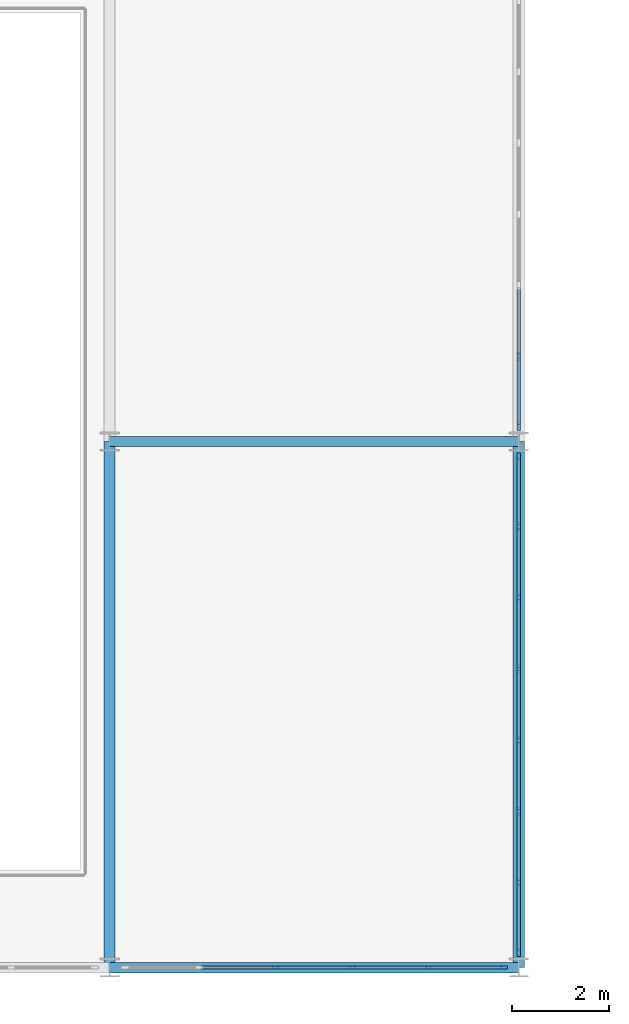
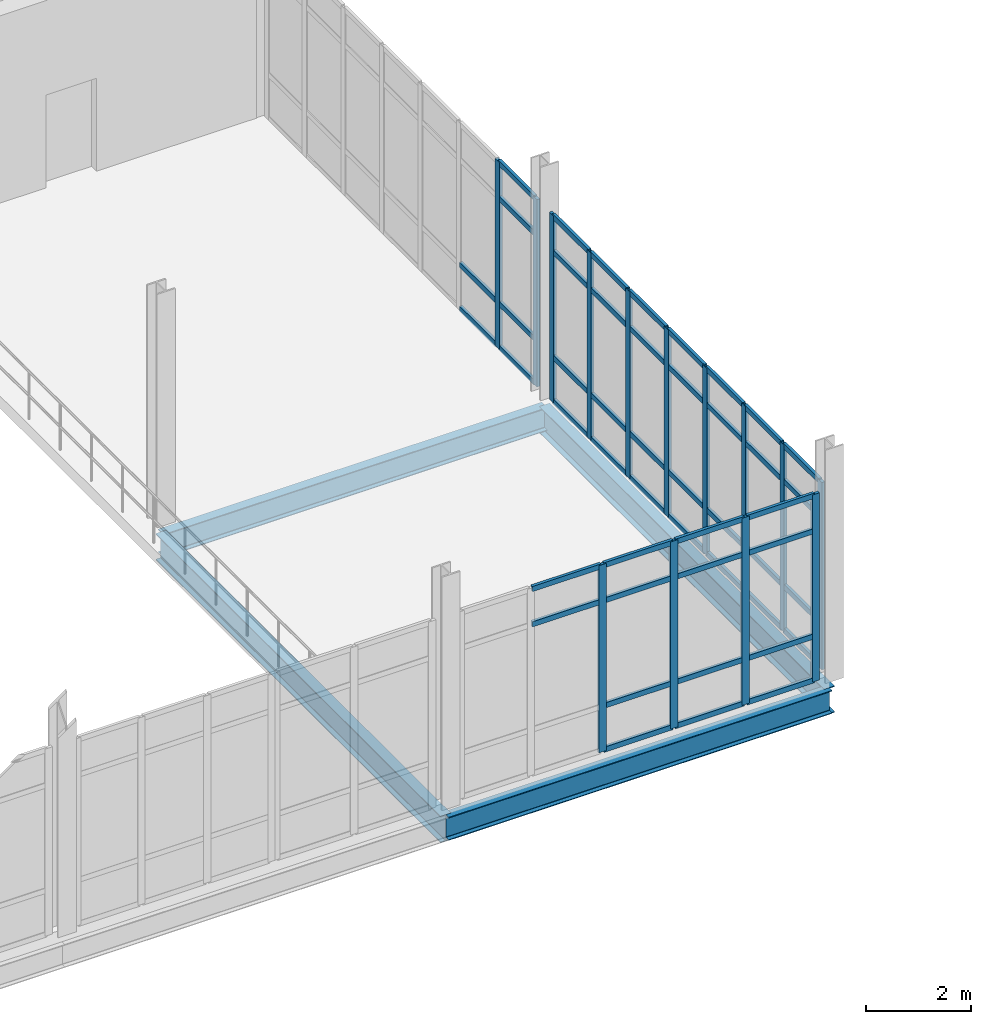
# One storey, part 38 of 111: 62 members, 4 beams, 3 elements without a shape of their own.
"""IFC4 building model written with IfcOpenShell, lengths in metres."""

from ifc_helpers import new_model, si_unit, direction, frame, origin, origin_2d, place, context, subcontext, project, spatial, rectangle, i_section, extrude, material, layer, layer_set, material_profile, profile_set, type_object, element, aggregate, save


model = new_model("IFC4")

# Units and contexts
model_context = context("Model", 3, precision=1e-05, world=origin(), true_north=direction((0.0, 1.0)))
body_context = subcontext(model_context, "Body", "Model", "MODEL_VIEW")
ifc_project = project(units=[si_unit("LENGTHUNIT", "METRE"), si_unit("AREAUNIT", "SQUARE_METRE"), si_unit("VOLUMEUNIT", "CUBIC_METRE"), si_unit("PLANEANGLEUNIT", "RADIAN"), si_unit("MASSUNIT", "GRAM", prefix="KILO"), si_unit("THERMODYNAMICTEMPERATUREUNIT", "KELVIN"), si_unit("POWERUNIT", "WATT")], contexts=[model_context])

# Site, building, storey
site_placement = place(None, origin())
site = spatial("IfcSite", under=ifc_project, at=site_placement, CompositionType="ELEMENT")
building_placement = place(site_placement, origin())
building = spatial("IfcBuilding", under=site, at=building_placement, Name="Tembeka Court Mobility Hub", CompositionType="ELEMENT")
storey_placement = place(building_placement, origin())
storey = spatial("IfcBuildingStorey", under=building, at=storey_placement, Name="L00", CompositionType="ELEMENT", Elevation=0.0)

# Beams
ifc_material_1 = material(Name="Steel S355", Category="steel")
ifc_material_profile_1 = material_profile(ifc_material_1, i_section(OverallWidth=0.22900390625, OverallDepth=0.612060546875, WebThickness=0.011962890625, FlangeThickness=0.01953125, FilletRadius=0.0126953125, at=origin_2d()), Name="UKB 610x229x125")
ifc_profile_set_1 = profile_set([ifc_material_profile_1], Name="Steel S355")
beam_type_1 = type_object("IfcBeamType", Name="BM-G02", PredefinedType="USERDEFINED", material=ifc_profile_set_1)
for number, where, z_axis, x_axis, name in (
    (1, (84.0, 0.0, -0.5859375), (0.0, 1.0, 0.0), (-1.0, 0.0, 0.0), "Beam G02 (BM-L00-Y0247)"),
    (2, (92.39990234375, 0.0, -0.5859375), (0.0, 1.0, 0.0), (-1.0, 0.0, 0.0), "Beam G02 (BM-L00-Y0258)"),
):
    element("IfcBeam", number, at=place(storey_placement, frame(where, z_axis=z_axis, x_axis=x_axis)), inside=storey, type_object=beam_type_1, Name=name, ObjectType="GIRDER", PredefinedType="USERDEFINED", context=body_context, shape_type="SweptSolid", body=[
        extrude(i_section(OverallWidth=0.22900390625, OverallDepth=0.612060546875, WebThickness=0.011962890625, FlangeThickness=0.01953125, FilletRadius=0.0126953125, at=origin_2d()), origin(), (0.0, 0.0, 1.0), 10.800048828125),
    ])
ifc_material_profile_2 = material_profile(ifc_material_1, i_section(OverallWidth=0.2099609375, OverallDepth=0.537109375, WebThickness=0.0107421875, FlangeThickness=0.017333984375, FilletRadius=0.0126953125, at=origin_2d()), Name="UKB 533x210x101")
ifc_profile_set_2 = profile_set([ifc_material_profile_2], Name="Steel S355")
beam_type_2 = type_object("IfcBeamType", Name="BM-G03", PredefinedType="USERDEFINED", material=ifc_profile_set_2)
for number, where, z_axis, x_axis, name in (
    (3, (84.0, 0.0, -0.548583984375), (1.0, 0.0, 0.0), (0.0, 1.0, 0.0), "Beam G03 (BM-L00-X0010)"),
    (4, (84.0, 10.800048828125, -0.548583984375), (1.0, 0.0, 0.0), (0.0, 1.0, 0.0), "Beam G03 (BM-L00-X0018)"),
):
    element("IfcBeam", number, at=place(storey_placement, frame(where, z_axis=z_axis, x_axis=x_axis)), inside=storey, type_object=beam_type_2, Name=name, ObjectType="GIRDER", PredefinedType="USERDEFINED", context=body_context, shape_type="SweptSolid", body=[
        extrude(i_section(OverallWidth=0.2099609375, OverallDepth=0.537109375, WebThickness=0.0107421875, FlangeThickness=0.017333984375, FilletRadius=0.0126953125, at=origin_2d()), origin(), (0.0, 0.0, 1.0), 8.39990234375),
    ])

# Curtain wall, members
ifc_material_2 = material(Name="Anodised aluminium 6063-T6", Category="aluminium")
ifc_layer_1 = layer(ifc_material_2, 0.159912109375)
ifc_layer_set_1 = layer_set([ifc_layer_1], Name="Anodised aluminium 6063-T6")
curtain_wall_type_1 = type_object("IfcCurtainWallType", Name="CW-SYS01", PredefinedType="USERDEFINED", material=ifc_layer_set_1)
curtain_wall_1_placement = place(storey_placement, origin())
curtain_wall_1 = element("IfcCurtainWall", 5, at=curtain_wall_1_placement, inside=storey, type_object=curtain_wall_type_1, Name="Unitised curtain wall CW01 (CW-L00-010)", ObjectType="UNITISED GLAZING", PredefinedType="USERDEFINED")
ifc_material_profile_3 = material_profile(ifc_material_2, rectangle(XDim=0.06494140625, YDim=0.159912109375, at=origin_2d()), Name="ALU-MUL 65x160")
ifc_profile_set_3 = profile_set([ifc_material_profile_3], Name="Anodised aluminium 6063-T6")
member_type_1 = type_object("IfcMemberType", Name="CW-MUL01", PredefinedType="MULLION", material=ifc_profile_set_3)
member_1_placement = place(storey_placement, frame((87.416015625, 0.0, 0.0), z_axis=(0.0, 0.0, 1.0), x_axis=(0.0, 1.0, 0.0)))
member_1 = element("IfcMember", 6, at=member_1_placement, type_object=member_type_1, Name="CW01 mullion 3", PredefinedType="MULLION", context=body_context, shape_type="SweptSolid", body=[
    extrude(rectangle(XDim=0.06494140625, YDim=0.159912109375, at=origin_2d()), origin(), (0.0, 0.0, 1.0), 4.3349609375),
])
member_2_placement = place(storey_placement, frame((88.98388671875, 0.0, 0.0), z_axis=(0.0, 0.0, 1.0), x_axis=(0.0, 1.0, 0.0)))
member_2 = element("IfcMember", 7, at=member_2_placement, type_object=member_type_1, Name="CW01 mullion 4", PredefinedType="MULLION", context=body_context, shape_type="SweptSolid", body=[
    extrude(rectangle(XDim=0.06494140625, YDim=0.159912109375, at=origin_2d()), origin(), (0.0, 0.0, 1.0), 4.3349609375),
])
member_3_placement = place(storey_placement, frame((90.552001953125, 0.0, 0.0), z_axis=(0.0, 0.0, 1.0), x_axis=(0.0, 1.0, 0.0)))
member_3 = element("IfcMember", 8, at=member_3_placement, type_object=member_type_1, Name="CW01 mullion 5", PredefinedType="MULLION", context=body_context, shape_type="SweptSolid", body=[
    extrude(rectangle(XDim=0.06494140625, YDim=0.159912109375, at=origin_2d()), origin(), (0.0, 0.0, 1.0), 4.3349609375),
])
member_4_placement = place(storey_placement, frame((92.08740234375, 0.0, 0.0), z_axis=(0.0, 0.0, 1.0), x_axis=(0.0, 1.0, 0.0)))
member_4 = element("IfcMember", 9, at=member_4_placement, type_object=member_type_1, Name="CW01 mullion 6", PredefinedType="MULLION", context=body_context, shape_type="SweptSolid", body=[
    extrude(rectangle(XDim=0.06494140625, YDim=0.159912109375, at=origin_2d()), origin(), (0.0, 0.0, 1.0), 4.3349609375),
])

ifc_layer_2 = layer(ifc_material_2, 0.159912109375)
ifc_layer_set_2 = layer_set([ifc_layer_2], Name="Anodised aluminium 6063-T6")
curtain_wall_type_2 = type_object("IfcCurtainWallType", Name="CW-SYS18", PredefinedType="USERDEFINED", material=ifc_layer_set_2)
curtain_wall_2_placement = place(storey_placement, origin())
curtain_wall_2 = element("IfcCurtainWall", 10, at=curtain_wall_2_placement, inside=storey, type_object=curtain_wall_type_2, Name="Unitised curtain wall CW18 (CW-L00-023)", ObjectType="UNITISED GLAZING", PredefinedType="USERDEFINED")
member_5_placement = place(storey_placement, frame((92.39990234375, 0.3125, 0.0), z_axis=(0.0, 0.0, 1.0), x_axis=(-1.0, 0.0, 0.0)))
member_5 = element("IfcMember", 11, at=member_5_placement, type_object=member_type_1, Name="CW18 mullion 1", PredefinedType="MULLION", context=body_context, shape_type="SweptSolid", body=[
    extrude(rectangle(XDim=0.06494140625, YDim=0.159912109375, at=origin_2d()), origin(), (0.0, 0.0, 1.0), 4.3349609375),
])
member_6_placement = place(storey_placement, frame((92.39990234375, 1.742919921875, 0.0), z_axis=(0.0, 0.0, 1.0), x_axis=(-1.0, 0.0, 0.0)))
member_6 = element("IfcMember", 12, at=member_6_placement, type_object=member_type_1, Name="CW18 mullion 2", PredefinedType="MULLION", context=body_context, shape_type="SweptSolid", body=[
    extrude(rectangle(XDim=0.06494140625, YDim=0.159912109375, at=origin_2d()), origin(), (0.0, 0.0, 1.0), 4.3349609375),
])
member_7_placement = place(storey_placement, frame((92.39990234375, 3.205810546875, 0.0), z_axis=(0.0, 0.0, 1.0), x_axis=(-1.0, 0.0, 0.0)))
member_7 = element("IfcMember", 13, at=member_7_placement, type_object=member_type_1, Name="CW18 mullion 3", PredefinedType="MULLION", context=body_context, shape_type="SweptSolid", body=[
    extrude(rectangle(XDim=0.06494140625, YDim=0.159912109375, at=origin_2d()), origin(), (0.0, 0.0, 1.0), 4.3349609375),
])
member_8_placement = place(storey_placement, frame((92.39990234375, 4.66845703125, 0.0), z_axis=(0.0, 0.0, 1.0), x_axis=(-1.0, 0.0, 0.0)))
member_8 = element("IfcMember", 14, at=member_8_placement, type_object=member_type_1, Name="CW18 mullion 4", PredefinedType="MULLION", context=body_context, shape_type="SweptSolid", body=[
    extrude(rectangle(XDim=0.06494140625, YDim=0.159912109375, at=origin_2d()), origin(), (0.0, 0.0, 1.0), 4.3349609375),
])
member_9_placement = place(storey_placement, frame((92.39990234375, 6.13134765625, 0.0), z_axis=(0.0, 0.0, 1.0), x_axis=(-1.0, 0.0, 0.0)))
member_9 = element("IfcMember", 15, at=member_9_placement, type_object=member_type_1, Name="CW18 mullion 5", PredefinedType="MULLION", context=body_context, shape_type="SweptSolid", body=[
    extrude(rectangle(XDim=0.06494140625, YDim=0.159912109375, at=origin_2d()), origin(), (0.0, 0.0, 1.0), 4.3349609375),
])
member_10_placement = place(storey_placement, frame((92.39990234375, 7.59423828125, 0.0), z_axis=(0.0, 0.0, 1.0), x_axis=(-1.0, 0.0, 0.0)))
member_10 = element("IfcMember", 16, at=member_10_placement, type_object=member_type_1, Name="CW18 mullion 6", PredefinedType="MULLION", context=body_context, shape_type="SweptSolid", body=[
    extrude(rectangle(XDim=0.06494140625, YDim=0.159912109375, at=origin_2d()), origin(), (0.0, 0.0, 1.0), 4.3349609375),
])
member_11_placement = place(storey_placement, frame((92.39990234375, 9.05712890625, 0.0), z_axis=(0.0, 0.0, 1.0), x_axis=(-1.0, 0.0, 0.0)))
member_11 = element("IfcMember", 17, at=member_11_placement, type_object=member_type_1, Name="CW18 mullion 7", PredefinedType="MULLION", context=body_context, shape_type="SweptSolid", body=[
    extrude(rectangle(XDim=0.06494140625, YDim=0.159912109375, at=origin_2d()), origin(), (0.0, 0.0, 1.0), 4.3349609375),
])
member_12_placement = place(storey_placement, frame((92.39990234375, 10.487548828125, 0.0), z_axis=(0.0, 0.0, 1.0), x_axis=(-1.0, 0.0, 0.0)))
member_12 = element("IfcMember", 18, at=member_12_placement, type_object=member_type_1, Name="CW18 mullion 8", PredefinedType="MULLION", context=body_context, shape_type="SweptSolid", body=[
    extrude(rectangle(XDim=0.06494140625, YDim=0.159912109375, at=origin_2d()), origin(), (0.0, 0.0, 1.0), 4.3349609375),
])

curtain_wall_3_placement = place(storey_placement, origin())
curtain_wall_3 = element("IfcCurtainWall", 19, at=curtain_wall_3_placement, inside=storey, type_object=curtain_wall_type_2, Name="Unitised curtain wall CW18 (CW-L00-025)", ObjectType="UNITISED GLAZING", PredefinedType="USERDEFINED")
member_13_placement = place(storey_placement, frame((92.39990234375, 11.112548828125, 0.0), z_axis=(0.0, 0.0, 1.0), x_axis=(-1.0, 0.0, 0.0)))
member_13 = element("IfcMember", 20, at=member_13_placement, type_object=member_type_1, Name="CW18 mullion 1", PredefinedType="MULLION", context=body_context, shape_type="SweptSolid", body=[
    extrude(rectangle(XDim=0.06494140625, YDim=0.159912109375, at=origin_2d()), origin(), (0.0, 0.0, 1.0), 4.3349609375),
])
member_14_placement = place(storey_placement, frame((92.39990234375, 12.54296875, 0.0), z_axis=(0.0, 0.0, 1.0), x_axis=(-1.0, 0.0, 0.0)))
member_14 = element("IfcMember", 21, at=member_14_placement, type_object=member_type_1, Name="CW18 mullion 2", PredefinedType="MULLION", context=body_context, shape_type="SweptSolid", body=[
    extrude(rectangle(XDim=0.06494140625, YDim=0.159912109375, at=origin_2d()), origin(), (0.0, 0.0, 1.0), 4.3349609375),
])

# Member
ifc_material_profile_4 = material_profile(ifc_material_2, rectangle(XDim=0.06494140625, YDim=0.1201171875, at=origin_2d()), Name="ALU-TRN 65x120")
ifc_profile_set_4 = profile_set([ifc_material_profile_4], Name="Anodised aluminium 6063-T6")
member_type_2 = type_object("IfcMemberType", Name="CW-TRN01", PredefinedType="USERDEFINED", material=ifc_profile_set_4)
member_15_placement = place(storey_placement, frame((85.880615234375, 0.0, 3.485107421875), z_axis=(1.0, 0.0, 0.0), x_axis=(0.0, 1.0, 0.0)))
member_15 = element("IfcMember", 22, at=member_15_placement, type_object=member_type_2, Name="CW01 transom 2.3", ObjectType="TRANSOM", PredefinedType="USERDEFINED", context=body_context, shape_type="SweptSolid", body=[
    extrude(rectangle(XDim=0.06494140625, YDim=0.1201171875, at=origin_2d()), origin(), (0.0, 0.0, 1.0), 1.5029296875),
])

member_16_placement = place(storey_placement, frame((85.880615234375, 0.0, 4.302490234375), z_axis=(1.0, 0.0, 0.0), x_axis=(0.0, 1.0, 0.0)))
member_16 = element("IfcMember", 23, at=member_16_placement, type_object=member_type_2, Name="CW01 transom 2.4", ObjectType="TRANSOM", PredefinedType="USERDEFINED", context=body_context, shape_type="SweptSolid", body=[
    extrude(rectangle(XDim=0.06494140625, YDim=0.1201171875, at=origin_2d()), origin(), (0.0, 0.0, 1.0), 1.5029296875),
])

member_17_placement = place(storey_placement, frame((87.448486328125, 0.0, 0.032470703125), z_axis=(1.0, 0.0, 0.0), x_axis=(0.0, 1.0, 0.0)))
member_17 = element("IfcMember", 24, at=member_17_placement, type_object=member_type_2, Name="CW01 transom 3.1", ObjectType="TRANSOM", PredefinedType="USERDEFINED", context=body_context, shape_type="SweptSolid", body=[
    extrude(rectangle(XDim=0.06494140625, YDim=0.1201171875, at=origin_2d()), origin(), (0.0, 0.0, 1.0), 1.5029296875),
])

member_18_placement = place(storey_placement, frame((87.448486328125, 0.0, 1.050048828125), z_axis=(1.0, 0.0, 0.0), x_axis=(0.0, 1.0, 0.0)))
member_18 = element("IfcMember", 25, at=member_18_placement, type_object=member_type_2, Name="CW01 transom 3.2", ObjectType="TRANSOM", PredefinedType="USERDEFINED", context=body_context, shape_type="SweptSolid", body=[
    extrude(rectangle(XDim=0.06494140625, YDim=0.1201171875, at=origin_2d()), origin(), (0.0, 0.0, 1.0), 1.5029296875),
])

member_19_placement = place(storey_placement, frame((87.448486328125, 0.0, 3.485107421875), z_axis=(1.0, 0.0, 0.0), x_axis=(0.0, 1.0, 0.0)))
member_19 = element("IfcMember", 26, at=member_19_placement, type_object=member_type_2, Name="CW01 transom 3.3", ObjectType="TRANSOM", PredefinedType="USERDEFINED", context=body_context, shape_type="SweptSolid", body=[
    extrude(rectangle(XDim=0.06494140625, YDim=0.1201171875, at=origin_2d()), origin(), (0.0, 0.0, 1.0), 1.5029296875),
])

member_20_placement = place(storey_placement, frame((87.448486328125, 0.0, 4.302490234375), z_axis=(1.0, 0.0, 0.0), x_axis=(0.0, 1.0, 0.0)))
member_20 = element("IfcMember", 27, at=member_20_placement, type_object=member_type_2, Name="CW01 transom 3.4", ObjectType="TRANSOM", PredefinedType="USERDEFINED", context=body_context, shape_type="SweptSolid", body=[
    extrude(rectangle(XDim=0.06494140625, YDim=0.1201171875, at=origin_2d()), origin(), (0.0, 0.0, 1.0), 1.5029296875),
])

member_21_placement = place(storey_placement, frame((89.0166015625, 0.0, 0.032470703125), z_axis=(1.0, 0.0, 0.0), x_axis=(0.0, 1.0, 0.0)))
member_21 = element("IfcMember", 28, at=member_21_placement, type_object=member_type_2, Name="CW01 transom 4.1", ObjectType="TRANSOM", PredefinedType="USERDEFINED", context=body_context, shape_type="SweptSolid", body=[
    extrude(rectangle(XDim=0.06494140625, YDim=0.1201171875, at=origin_2d()), origin(), (0.0, 0.0, 1.0), 1.5029296875),
])

member_22_placement = place(storey_placement, frame((89.0166015625, 0.0, 1.050048828125), z_axis=(1.0, 0.0, 0.0), x_axis=(0.0, 1.0, 0.0)))
member_22 = element("IfcMember", 29, at=member_22_placement, type_object=member_type_2, Name="CW01 transom 4.2", ObjectType="TRANSOM", PredefinedType="USERDEFINED", context=body_context, shape_type="SweptSolid", body=[
    extrude(rectangle(XDim=0.06494140625, YDim=0.1201171875, at=origin_2d()), origin(), (0.0, 0.0, 1.0), 1.5029296875),
])

member_23_placement = place(storey_placement, frame((89.0166015625, 0.0, 3.485107421875), z_axis=(1.0, 0.0, 0.0), x_axis=(0.0, 1.0, 0.0)))
member_23 = element("IfcMember", 30, at=member_23_placement, type_object=member_type_2, Name="CW01 transom 4.3", ObjectType="TRANSOM", PredefinedType="USERDEFINED", context=body_context, shape_type="SweptSolid", body=[
    extrude(rectangle(XDim=0.06494140625, YDim=0.1201171875, at=origin_2d()), origin(), (0.0, 0.0, 1.0), 1.5029296875),
])

member_24_placement = place(storey_placement, frame((89.0166015625, 0.0, 4.302490234375), z_axis=(1.0, 0.0, 0.0), x_axis=(0.0, 1.0, 0.0)))
member_24 = element("IfcMember", 31, at=member_24_placement, type_object=member_type_2, Name="CW01 transom 4.4", ObjectType="TRANSOM", PredefinedType="USERDEFINED", context=body_context, shape_type="SweptSolid", body=[
    extrude(rectangle(XDim=0.06494140625, YDim=0.1201171875, at=origin_2d()), origin(), (0.0, 0.0, 1.0), 1.5029296875),
])

member_25_placement = place(storey_placement, frame((90.58447265625, 0.0, 0.032470703125), z_axis=(1.0, 0.0, 0.0), x_axis=(0.0, 1.0, 0.0)))
member_25 = element("IfcMember", 32, at=member_25_placement, type_object=member_type_2, Name="CW01 transom 5.1", ObjectType="TRANSOM", PredefinedType="USERDEFINED", context=body_context, shape_type="SweptSolid", body=[
    extrude(rectangle(XDim=0.06494140625, YDim=0.1201171875, at=origin_2d()), origin(), (0.0, 0.0, 1.0), 1.470458984375),
])

member_26_placement = place(storey_placement, frame((90.58447265625, 0.0, 1.050048828125), z_axis=(1.0, 0.0, 0.0), x_axis=(0.0, 1.0, 0.0)))
member_26 = element("IfcMember", 33, at=member_26_placement, type_object=member_type_2, Name="CW01 transom 5.2", ObjectType="TRANSOM", PredefinedType="USERDEFINED", context=body_context, shape_type="SweptSolid", body=[
    extrude(rectangle(XDim=0.06494140625, YDim=0.1201171875, at=origin_2d()), origin(), (0.0, 0.0, 1.0), 1.470458984375),
])

member_27_placement = place(storey_placement, frame((90.58447265625, 0.0, 3.485107421875), z_axis=(1.0, 0.0, 0.0), x_axis=(0.0, 1.0, 0.0)))
member_27 = element("IfcMember", 34, at=member_27_placement, type_object=member_type_2, Name="CW01 transom 5.3", ObjectType="TRANSOM", PredefinedType="USERDEFINED", context=body_context, shape_type="SweptSolid", body=[
    extrude(rectangle(XDim=0.06494140625, YDim=0.1201171875, at=origin_2d()), origin(), (0.0, 0.0, 1.0), 1.470458984375),
])

member_28_placement = place(storey_placement, frame((90.58447265625, 0.0, 4.302490234375), z_axis=(1.0, 0.0, 0.0), x_axis=(0.0, 1.0, 0.0)))
member_28 = element("IfcMember", 35, at=member_28_placement, type_object=member_type_2, Name="CW01 transom 5.4", ObjectType="TRANSOM", PredefinedType="USERDEFINED", context=body_context, shape_type="SweptSolid", body=[
    extrude(rectangle(XDim=0.06494140625, YDim=0.1201171875, at=origin_2d()), origin(), (0.0, 0.0, 1.0), 1.470458984375),
])

aggregate(curtain_wall_1, [member_1, member_2, member_3, member_4, member_15, member_16, member_17, member_18, member_19, member_20, member_21, member_22, member_23, member_24, member_25, member_26, member_27, member_28])

member_29_placement = place(storey_placement, frame((92.39990234375, 0.344970703125, 0.032470703125), z_axis=(0.0, 1.0, 0.0), x_axis=(-1.0, 0.0, 0.0)))
member_29 = element("IfcMember", 36, at=member_29_placement, type_object=member_type_2, Name="CW18 transom 1.1", ObjectType="TRANSOM", PredefinedType="USERDEFINED", context=body_context, shape_type="SweptSolid", body=[
    extrude(rectangle(XDim=0.06494140625, YDim=0.1201171875, at=origin_2d()), origin(), (0.0, 0.0, 1.0), 1.365478515625),
])

member_30_placement = place(storey_placement, frame((92.39990234375, 0.344970703125, 1.050048828125), z_axis=(0.0, 1.0, 0.0), x_axis=(-1.0, 0.0, 0.0)))
member_30 = element("IfcMember", 37, at=member_30_placement, type_object=member_type_2, Name="CW18 transom 1.2", ObjectType="TRANSOM", PredefinedType="USERDEFINED", context=body_context, shape_type="SweptSolid", body=[
    extrude(rectangle(XDim=0.06494140625, YDim=0.1201171875, at=origin_2d()), origin(), (0.0, 0.0, 1.0), 1.365478515625),
])

member_31_placement = place(storey_placement, frame((92.39990234375, 0.344970703125, 3.485107421875), z_axis=(0.0, 1.0, 0.0), x_axis=(-1.0, 0.0, 0.0)))
member_31 = element("IfcMember", 38, at=member_31_placement, type_object=member_type_2, Name="CW18 transom 1.3", ObjectType="TRANSOM", PredefinedType="USERDEFINED", context=body_context, shape_type="SweptSolid", body=[
    extrude(rectangle(XDim=0.06494140625, YDim=0.1201171875, at=origin_2d()), origin(), (0.0, 0.0, 1.0), 1.365478515625),
])

member_32_placement = place(storey_placement, frame((92.39990234375, 0.344970703125, 4.302490234375), z_axis=(0.0, 1.0, 0.0), x_axis=(-1.0, 0.0, 0.0)))
member_32 = element("IfcMember", 39, at=member_32_placement, type_object=member_type_2, Name="CW18 transom 1.4", ObjectType="TRANSOM", PredefinedType="USERDEFINED", context=body_context, shape_type="SweptSolid", body=[
    extrude(rectangle(XDim=0.06494140625, YDim=0.1201171875, at=origin_2d()), origin(), (0.0, 0.0, 1.0), 1.365478515625),
])

member_33_placement = place(storey_placement, frame((92.39990234375, 1.775390625, 0.032470703125), z_axis=(0.0, 1.0, 0.0), x_axis=(-1.0, 0.0, 0.0)))
member_33 = element("IfcMember", 40, at=member_33_placement, type_object=member_type_2, Name="CW18 transom 2.1", ObjectType="TRANSOM", PredefinedType="USERDEFINED", context=body_context, shape_type="SweptSolid", body=[
    extrude(rectangle(XDim=0.06494140625, YDim=0.1201171875, at=origin_2d()), origin(), (0.0, 0.0, 1.0), 1.397705078125),
])

member_34_placement = place(storey_placement, frame((92.39990234375, 1.775390625, 1.050048828125), z_axis=(0.0, 1.0, 0.0), x_axis=(-1.0, 0.0, 0.0)))
member_34 = element("IfcMember", 41, at=member_34_placement, type_object=member_type_2, Name="CW18 transom 2.2", ObjectType="TRANSOM", PredefinedType="USERDEFINED", context=body_context, shape_type="SweptSolid", body=[
    extrude(rectangle(XDim=0.06494140625, YDim=0.1201171875, at=origin_2d()), origin(), (0.0, 0.0, 1.0), 1.397705078125),
])

member_35_placement = place(storey_placement, frame((92.39990234375, 1.775390625, 3.485107421875), z_axis=(0.0, 1.0, 0.0), x_axis=(-1.0, 0.0, 0.0)))
member_35 = element("IfcMember", 42, at=member_35_placement, type_object=member_type_2, Name="CW18 transom 2.3", ObjectType="TRANSOM", PredefinedType="USERDEFINED", context=body_context, shape_type="SweptSolid", body=[
    extrude(rectangle(XDim=0.06494140625, YDim=0.1201171875, at=origin_2d()), origin(), (0.0, 0.0, 1.0), 1.397705078125),
])

member_36_placement = place(storey_placement, frame((92.39990234375, 1.775390625, 4.302490234375), z_axis=(0.0, 1.0, 0.0), x_axis=(-1.0, 0.0, 0.0)))
member_36 = element("IfcMember", 43, at=member_36_placement, type_object=member_type_2, Name="CW18 transom 2.4", ObjectType="TRANSOM", PredefinedType="USERDEFINED", context=body_context, shape_type="SweptSolid", body=[
    extrude(rectangle(XDim=0.06494140625, YDim=0.1201171875, at=origin_2d()), origin(), (0.0, 0.0, 1.0), 1.397705078125),
])

member_37_placement = place(storey_placement, frame((92.39990234375, 3.23828125, 0.032470703125), z_axis=(0.0, 1.0, 0.0), x_axis=(-1.0, 0.0, 0.0)))
member_37 = element("IfcMember", 44, at=member_37_placement, type_object=member_type_2, Name="CW18 transom 3.1", ObjectType="TRANSOM", PredefinedType="USERDEFINED", context=body_context, shape_type="SweptSolid", body=[
    extrude(rectangle(XDim=0.06494140625, YDim=0.1201171875, at=origin_2d()), origin(), (0.0, 0.0, 1.0), 1.397705078125),
])

member_38_placement = place(storey_placement, frame((92.39990234375, 3.23828125, 1.050048828125), z_axis=(0.0, 1.0, 0.0), x_axis=(-1.0, 0.0, 0.0)))
member_38 = element("IfcMember", 45, at=member_38_placement, type_object=member_type_2, Name="CW18 transom 3.2", ObjectType="TRANSOM", PredefinedType="USERDEFINED", context=body_context, shape_type="SweptSolid", body=[
    extrude(rectangle(XDim=0.06494140625, YDim=0.1201171875, at=origin_2d()), origin(), (0.0, 0.0, 1.0), 1.397705078125),
])

member_39_placement = place(storey_placement, frame((92.39990234375, 3.23828125, 3.485107421875), z_axis=(0.0, 1.0, 0.0), x_axis=(-1.0, 0.0, 0.0)))
member_39 = element("IfcMember", 46, at=member_39_placement, type_object=member_type_2, Name="CW18 transom 3.3", ObjectType="TRANSOM", PredefinedType="USERDEFINED", context=body_context, shape_type="SweptSolid", body=[
    extrude(rectangle(XDim=0.06494140625, YDim=0.1201171875, at=origin_2d()), origin(), (0.0, 0.0, 1.0), 1.397705078125),
])

member_40_placement = place(storey_placement, frame((92.39990234375, 3.23828125, 4.302490234375), z_axis=(0.0, 1.0, 0.0), x_axis=(-1.0, 0.0, 0.0)))
member_40 = element("IfcMember", 47, at=member_40_placement, type_object=member_type_2, Name="CW18 transom 3.4", ObjectType="TRANSOM", PredefinedType="USERDEFINED", context=body_context, shape_type="SweptSolid", body=[
    extrude(rectangle(XDim=0.06494140625, YDim=0.1201171875, at=origin_2d()), origin(), (0.0, 0.0, 1.0), 1.397705078125),
])

member_41_placement = place(storey_placement, frame((92.39990234375, 4.701171875, 0.032470703125), z_axis=(0.0, 1.0, 0.0), x_axis=(-1.0, 0.0, 0.0)))
member_41 = element("IfcMember", 48, at=member_41_placement, type_object=member_type_2, Name="CW18 transom 4.1", ObjectType="TRANSOM", PredefinedType="USERDEFINED", context=body_context, shape_type="SweptSolid", body=[
    extrude(rectangle(XDim=0.06494140625, YDim=0.1201171875, at=origin_2d()), origin(), (0.0, 0.0, 1.0), 1.397705078125),
])

member_42_placement = place(storey_placement, frame((92.39990234375, 4.701171875, 1.050048828125), z_axis=(0.0, 1.0, 0.0), x_axis=(-1.0, 0.0, 0.0)))
member_42 = element("IfcMember", 49, at=member_42_placement, type_object=member_type_2, Name="CW18 transom 4.2", ObjectType="TRANSOM", PredefinedType="USERDEFINED", context=body_context, shape_type="SweptSolid", body=[
    extrude(rectangle(XDim=0.06494140625, YDim=0.1201171875, at=origin_2d()), origin(), (0.0, 0.0, 1.0), 1.397705078125),
])

member_43_placement = place(storey_placement, frame((92.39990234375, 4.701171875, 3.485107421875), z_axis=(0.0, 1.0, 0.0), x_axis=(-1.0, 0.0, 0.0)))
member_43 = element("IfcMember", 50, at=member_43_placement, type_object=member_type_2, Name="CW18 transom 4.3", ObjectType="TRANSOM", PredefinedType="USERDEFINED", context=body_context, shape_type="SweptSolid", body=[
    extrude(rectangle(XDim=0.06494140625, YDim=0.1201171875, at=origin_2d()), origin(), (0.0, 0.0, 1.0), 1.397705078125),
])

member_44_placement = place(storey_placement, frame((92.39990234375, 4.701171875, 4.302490234375), z_axis=(0.0, 1.0, 0.0), x_axis=(-1.0, 0.0, 0.0)))
member_44 = element("IfcMember", 51, at=member_44_placement, type_object=member_type_2, Name="CW18 transom 4.4", ObjectType="TRANSOM", PredefinedType="USERDEFINED", context=body_context, shape_type="SweptSolid", body=[
    extrude(rectangle(XDim=0.06494140625, YDim=0.1201171875, at=origin_2d()), origin(), (0.0, 0.0, 1.0), 1.397705078125),
])

member_45_placement = place(storey_placement, frame((92.39990234375, 6.163818359375, 0.032470703125), z_axis=(0.0, 1.0, 0.0), x_axis=(-1.0, 0.0, 0.0)))
member_45 = element("IfcMember", 52, at=member_45_placement, type_object=member_type_2, Name="CW18 transom 5.1", ObjectType="TRANSOM", PredefinedType="USERDEFINED", context=body_context, shape_type="SweptSolid", body=[
    extrude(rectangle(XDim=0.06494140625, YDim=0.1201171875, at=origin_2d()), origin(), (0.0, 0.0, 1.0), 1.39794921875),
])

member_46_placement = place(storey_placement, frame((92.39990234375, 6.163818359375, 1.050048828125), z_axis=(0.0, 1.0, 0.0), x_axis=(-1.0, 0.0, 0.0)))
member_46 = element("IfcMember", 53, at=member_46_placement, type_object=member_type_2, Name="CW18 transom 5.2", ObjectType="TRANSOM", PredefinedType="USERDEFINED", context=body_context, shape_type="SweptSolid", body=[
    extrude(rectangle(XDim=0.06494140625, YDim=0.1201171875, at=origin_2d()), origin(), (0.0, 0.0, 1.0), 1.39794921875),
])

member_47_placement = place(storey_placement, frame((92.39990234375, 6.163818359375, 3.485107421875), z_axis=(0.0, 1.0, 0.0), x_axis=(-1.0, 0.0, 0.0)))
member_47 = element("IfcMember", 54, at=member_47_placement, type_object=member_type_2, Name="CW18 transom 5.3", ObjectType="TRANSOM", PredefinedType="USERDEFINED", context=body_context, shape_type="SweptSolid", body=[
    extrude(rectangle(XDim=0.06494140625, YDim=0.1201171875, at=origin_2d()), origin(), (0.0, 0.0, 1.0), 1.39794921875),
])

member_48_placement = place(storey_placement, frame((92.39990234375, 6.163818359375, 4.302490234375), z_axis=(0.0, 1.0, 0.0), x_axis=(-1.0, 0.0, 0.0)))
member_48 = element("IfcMember", 55, at=member_48_placement, type_object=member_type_2, Name="CW18 transom 5.4", ObjectType="TRANSOM", PredefinedType="USERDEFINED", context=body_context, shape_type="SweptSolid", body=[
    extrude(rectangle(XDim=0.06494140625, YDim=0.1201171875, at=origin_2d()), origin(), (0.0, 0.0, 1.0), 1.39794921875),
])

member_49_placement = place(storey_placement, frame((92.39990234375, 7.626708984375, 0.032470703125), z_axis=(0.0, 1.0, 0.0), x_axis=(-1.0, 0.0, 0.0)))
member_49 = element("IfcMember", 56, at=member_49_placement, type_object=member_type_2, Name="CW18 transom 6.1", ObjectType="TRANSOM", PredefinedType="USERDEFINED", context=body_context, shape_type="SweptSolid", body=[
    extrude(rectangle(XDim=0.06494140625, YDim=0.1201171875, at=origin_2d()), origin(), (0.0, 0.0, 1.0), 1.39794921875),
])

member_50_placement = place(storey_placement, frame((92.39990234375, 7.626708984375, 1.050048828125), z_axis=(0.0, 1.0, 0.0), x_axis=(-1.0, 0.0, 0.0)))
member_50 = element("IfcMember", 57, at=member_50_placement, type_object=member_type_2, Name="CW18 transom 6.2", ObjectType="TRANSOM", PredefinedType="USERDEFINED", context=body_context, shape_type="SweptSolid", body=[
    extrude(rectangle(XDim=0.06494140625, YDim=0.1201171875, at=origin_2d()), origin(), (0.0, 0.0, 1.0), 1.39794921875),
])

member_51_placement = place(storey_placement, frame((92.39990234375, 7.626708984375, 3.485107421875), z_axis=(0.0, 1.0, 0.0), x_axis=(-1.0, 0.0, 0.0)))
member_51 = element("IfcMember", 58, at=member_51_placement, type_object=member_type_2, Name="CW18 transom 6.3", ObjectType="TRANSOM", PredefinedType="USERDEFINED", context=body_context, shape_type="SweptSolid", body=[
    extrude(rectangle(XDim=0.06494140625, YDim=0.1201171875, at=origin_2d()), origin(), (0.0, 0.0, 1.0), 1.39794921875),
])

member_52_placement = place(storey_placement, frame((92.39990234375, 7.626708984375, 4.302490234375), z_axis=(0.0, 1.0, 0.0), x_axis=(-1.0, 0.0, 0.0)))
member_52 = element("IfcMember", 59, at=member_52_placement, type_object=member_type_2, Name="CW18 transom 6.4", ObjectType="TRANSOM", PredefinedType="USERDEFINED", context=body_context, shape_type="SweptSolid", body=[
    extrude(rectangle(XDim=0.06494140625, YDim=0.1201171875, at=origin_2d()), origin(), (0.0, 0.0, 1.0), 1.39794921875),
])

member_53_placement = place(storey_placement, frame((92.39990234375, 9.089599609375, 0.032470703125), z_axis=(0.0, 1.0, 0.0), x_axis=(-1.0, 0.0, 0.0)))
member_53 = element("IfcMember", 60, at=member_53_placement, type_object=member_type_2, Name="CW18 transom 7.1", ObjectType="TRANSOM", PredefinedType="USERDEFINED", context=body_context, shape_type="SweptSolid", body=[
    extrude(rectangle(XDim=0.06494140625, YDim=0.1201171875, at=origin_2d()), origin(), (0.0, 0.0, 1.0), 1.365478515625),
])

member_54_placement = place(storey_placement, frame((92.39990234375, 9.089599609375, 1.050048828125), z_axis=(0.0, 1.0, 0.0), x_axis=(-1.0, 0.0, 0.0)))
member_54 = element("IfcMember", 61, at=member_54_placement, type_object=member_type_2, Name="CW18 transom 7.2", ObjectType="TRANSOM", PredefinedType="USERDEFINED", context=body_context, shape_type="SweptSolid", body=[
    extrude(rectangle(XDim=0.06494140625, YDim=0.1201171875, at=origin_2d()), origin(), (0.0, 0.0, 1.0), 1.365478515625),
])

member_55_placement = place(storey_placement, frame((92.39990234375, 9.089599609375, 3.485107421875), z_axis=(0.0, 1.0, 0.0), x_axis=(-1.0, 0.0, 0.0)))
member_55 = element("IfcMember", 62, at=member_55_placement, type_object=member_type_2, Name="CW18 transom 7.3", ObjectType="TRANSOM", PredefinedType="USERDEFINED", context=body_context, shape_type="SweptSolid", body=[
    extrude(rectangle(XDim=0.06494140625, YDim=0.1201171875, at=origin_2d()), origin(), (0.0, 0.0, 1.0), 1.365478515625),
])

member_56_placement = place(storey_placement, frame((92.39990234375, 9.089599609375, 4.302490234375), z_axis=(0.0, 1.0, 0.0), x_axis=(-1.0, 0.0, 0.0)))
member_56 = element("IfcMember", 63, at=member_56_placement, type_object=member_type_2, Name="CW18 transom 7.4", ObjectType="TRANSOM", PredefinedType="USERDEFINED", context=body_context, shape_type="SweptSolid", body=[
    extrude(rectangle(XDim=0.06494140625, YDim=0.1201171875, at=origin_2d()), origin(), (0.0, 0.0, 1.0), 1.365478515625),
])

aggregate(curtain_wall_2, [member_5, member_6, member_7, member_8, member_9, member_10, member_11, member_12, member_29, member_30, member_31, member_32, member_33, member_34, member_35, member_36, member_37, member_38, member_39, member_40, member_41, member_42, member_43, member_44, member_45, member_46, member_47, member_48, member_49, member_50, member_51, member_52, member_53, member_54, member_55, member_56])

member_57_placement = place(storey_placement, frame((92.39990234375, 11.14501953125, 0.032470703125), z_axis=(0.0, 1.0, 0.0), x_axis=(-1.0, 0.0, 0.0)))
member_57 = element("IfcMember", 64, at=member_57_placement, type_object=member_type_2, Name="CW18 transom 1.1", ObjectType="TRANSOM", PredefinedType="USERDEFINED", context=body_context, shape_type="SweptSolid", body=[
    extrude(rectangle(XDim=0.06494140625, YDim=0.1201171875, at=origin_2d()), origin(), (0.0, 0.0, 1.0), 1.365234375),
])

member_58_placement = place(storey_placement, frame((92.39990234375, 11.14501953125, 1.050048828125), z_axis=(0.0, 1.0, 0.0), x_axis=(-1.0, 0.0, 0.0)))
member_58 = element("IfcMember", 65, at=member_58_placement, type_object=member_type_2, Name="CW18 transom 1.2", ObjectType="TRANSOM", PredefinedType="USERDEFINED", context=body_context, shape_type="SweptSolid", body=[
    extrude(rectangle(XDim=0.06494140625, YDim=0.1201171875, at=origin_2d()), origin(), (0.0, 0.0, 1.0), 1.365234375),
])

member_59_placement = place(storey_placement, frame((92.39990234375, 11.14501953125, 3.485107421875), z_axis=(0.0, 1.0, 0.0), x_axis=(-1.0, 0.0, 0.0)))
member_59 = element("IfcMember", 66, at=member_59_placement, type_object=member_type_2, Name="CW18 transom 1.3", ObjectType="TRANSOM", PredefinedType="USERDEFINED", context=body_context, shape_type="SweptSolid", body=[
    extrude(rectangle(XDim=0.06494140625, YDim=0.1201171875, at=origin_2d()), origin(), (0.0, 0.0, 1.0), 1.365234375),
])

member_60_placement = place(storey_placement, frame((92.39990234375, 11.14501953125, 4.302490234375), z_axis=(0.0, 1.0, 0.0), x_axis=(-1.0, 0.0, 0.0)))
member_60 = element("IfcMember", 67, at=member_60_placement, type_object=member_type_2, Name="CW18 transom 1.4", ObjectType="TRANSOM", PredefinedType="USERDEFINED", context=body_context, shape_type="SweptSolid", body=[
    extrude(rectangle(XDim=0.06494140625, YDim=0.1201171875, at=origin_2d()), origin(), (0.0, 0.0, 1.0), 1.365234375),
])

member_61_placement = place(storey_placement, frame((92.39990234375, 12.575439453125, 0.032470703125), z_axis=(0.0, 1.0, 0.0), x_axis=(-1.0, 0.0, 0.0)))
member_61 = element("IfcMember", 68, at=member_61_placement, type_object=member_type_2, Name="CW18 transom 2.1", ObjectType="TRANSOM", PredefinedType="USERDEFINED", context=body_context, shape_type="SweptSolid", body=[
    extrude(rectangle(XDim=0.06494140625, YDim=0.1201171875, at=origin_2d()), origin(), (0.0, 0.0, 1.0), 1.397705078125),
])

member_62_placement = place(storey_placement, frame((92.39990234375, 12.575439453125, 1.050048828125), z_axis=(0.0, 1.0, 0.0), x_axis=(-1.0, 0.0, 0.0)))
member_62 = element("IfcMember", 69, at=member_62_placement, type_object=member_type_2, Name="CW18 transom 2.2", ObjectType="TRANSOM", PredefinedType="USERDEFINED", context=body_context, shape_type="SweptSolid", body=[
    extrude(rectangle(XDim=0.06494140625, YDim=0.1201171875, at=origin_2d()), origin(), (0.0, 0.0, 1.0), 1.397705078125),
])

aggregate(curtain_wall_3, [member_13, member_14, member_57, member_58, member_59, member_60, member_61, member_62])

save(model, "model.ifc")
